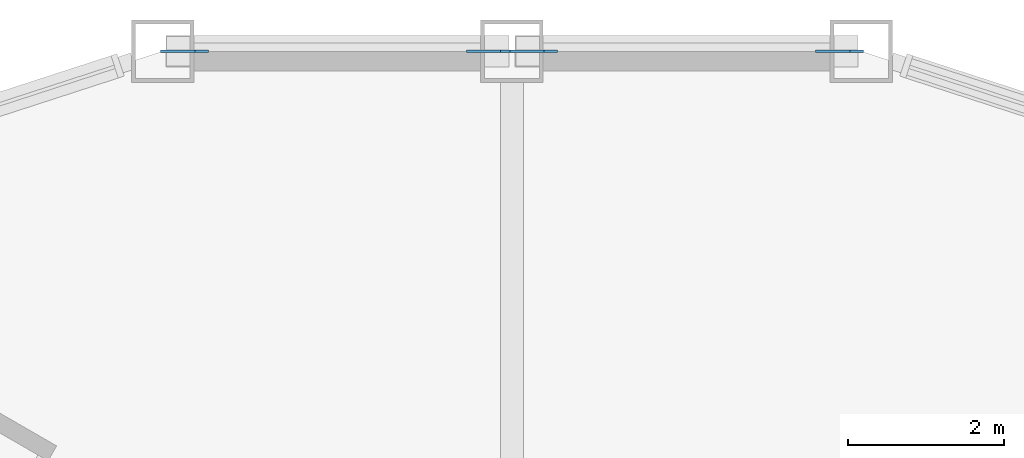
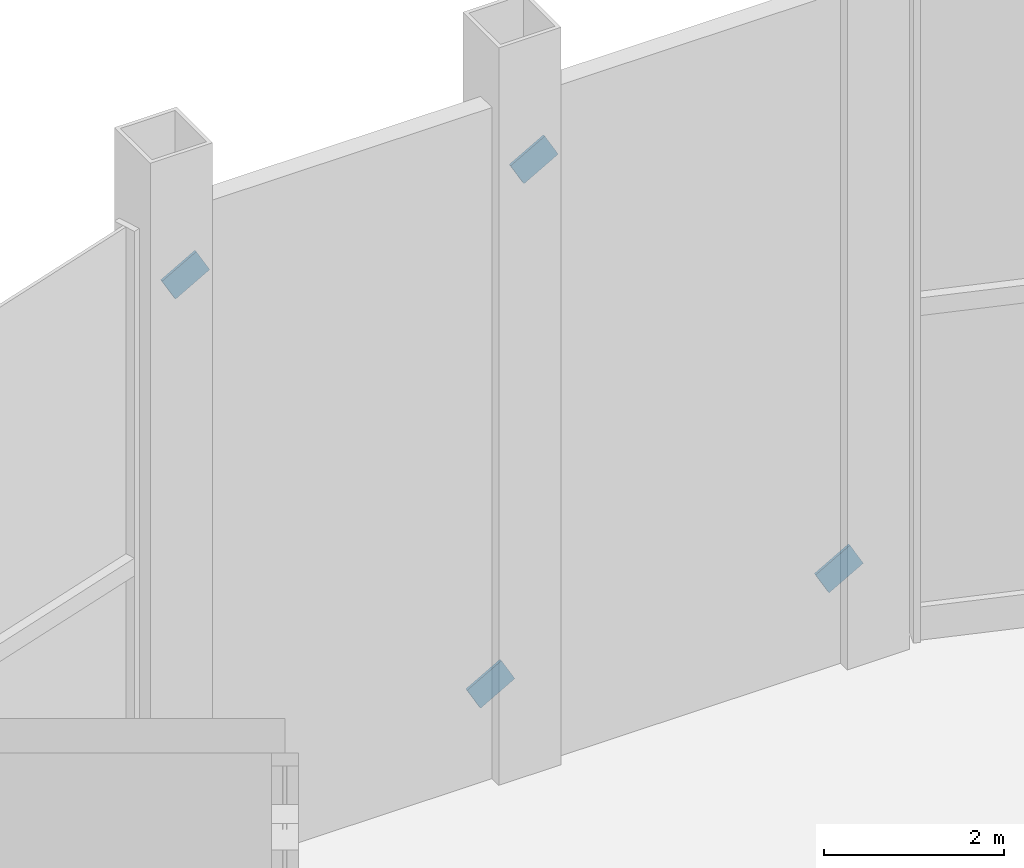
# One storey, part 14 of 18: 4 discrete accessories.
"""IFC4 building model written with IfcOpenShell, lengths in metres."""

from ifc_helpers import new_model, si_unit, direction, frame, origin, origin_2d, place, context, subcontext, project, spatial, rectangle, extrude, material, material_profile, profile_set, type_object, element, save


model = new_model("IFC4")

# Units and contexts
model_context = context("Model", 3, precision=1e-05, world=origin(), true_north=direction((0.0, 1.0)))
body_context = subcontext(model_context, "Body", "Model", "MODEL_VIEW")
ifc_project = project(units=[si_unit("LENGTHUNIT", "METRE"), si_unit("AREAUNIT", "SQUARE_METRE"), si_unit("VOLUMEUNIT", "CUBIC_METRE"), si_unit("PLANEANGLEUNIT", "RADIAN"), si_unit("MASSUNIT", "GRAM", prefix="KILO")], contexts=[model_context])

# Site, building, storey
site_placement = place(None, origin())
site = spatial("IfcSite", under=ifc_project, at=site_placement, CompositionType="ELEMENT")
building_placement = place(site_placement, origin())
building = spatial("IfcBuilding", under=site, at=building_placement, Name="Cormorant Prow Tower", CompositionType="ELEMENT")
storey_placement = place(building_placement, frame((0.0, 0.0, 216.0)))
storey = spatial("IfcBuildingStorey", under=building, at=storey_placement, Name="L48", CompositionType="ELEMENT", Elevation=216.0)

# Discrete accessories
ifc_material = material(Name="Structural steel ASTM A500 Gr C", Category="steel")
ifc_material_profile = material_profile(ifc_material, rectangle(XDim=0.031982421875, YDim=0.506103515625, at=origin_2d()), Name="Gusset plate 32x506")
ifc_profile_set = profile_set([ifc_material_profile], Name="Structural steel ASTM A500 Gr C")
discrete_accessory_type = type_object("IfcDiscreteAccessoryType", Name="Gusset plate 32x506", PredefinedType="BRACKET", material=ifc_profile_set)
discrete_accessory_1_placement = place(storey_placement, frame((4.10595703125, 32.3994140625, 1.244140625), z_axis=(0.492378955785, 0.0, -0.87038093034), x_axis=(0.0, 1.0, 0.0)))
element("IfcDiscreteAccessory", 1, at=discrete_accessory_1_placement, inside=storey, type_object=discrete_accessory_type, Name="Gusset plate GP2 L48.N00.g0", PredefinedType="BRACKET", context=body_context, shape_type="SweptSolid", body=[
    extrude(rectangle(XDim=0.031982421875, YDim=0.506103515625, at=origin_2d()), origin(), (0.0, 0.0, 1.0), 0.35009765625),
])
discrete_accessory_2_placement = place(storey_placement, frame((0.364501953125, 32.3994140625, 7.85693359375), z_axis=(-0.492677992906, 0.0, 0.870211695685), x_axis=(0.0, -1.0, 0.0)))
element("IfcDiscreteAccessory", 2, at=discrete_accessory_2_placement, inside=storey, type_object=discrete_accessory_type, Name="Gusset plate GP2 L48.N00.g1", PredefinedType="BRACKET", context=body_context, shape_type="SweptSolid", body=[
    extrude(rectangle(XDim=0.031982421875, YDim=0.506103515625, at=origin_2d()), origin(), (0.0, 0.0, 1.0), 0.349853515625),
])
discrete_accessory_3_placement = place(storey_placement, frame((-0.364501953125, 32.3994140625, 1.244140625), z_axis=(0.492378955785, 0.0, -0.87038093034), x_axis=(0.0, 1.0, 0.0)))
element("IfcDiscreteAccessory", 3, at=discrete_accessory_3_placement, inside=storey, type_object=discrete_accessory_type, Name="Gusset plate GP2 L48.N01.g0", PredefinedType="BRACKET", context=body_context, shape_type="SweptSolid", body=[
    extrude(rectangle(XDim=0.031982421875, YDim=0.506103515625, at=origin_2d()), origin(), (0.0, 0.0, 1.0), 0.35009765625),
])
discrete_accessory_4_placement = place(storey_placement, frame((-4.10595703125, 32.3994140625, 7.85693359375), z_axis=(-0.492677992906, 0.0, 0.870211695685), x_axis=(0.0, -1.0, 0.0)))
element("IfcDiscreteAccessory", 4, at=discrete_accessory_4_placement, inside=storey, type_object=discrete_accessory_type, Name="Gusset plate GP2 L48.N01.g1", PredefinedType="BRACKET", context=body_context, shape_type="SweptSolid", body=[
    extrude(rectangle(XDim=0.031982421875, YDim=0.506103515625, at=origin_2d()), origin(), (0.0, 0.0, 1.0), 0.349853515625),
])

save(model, "model.ifc")
